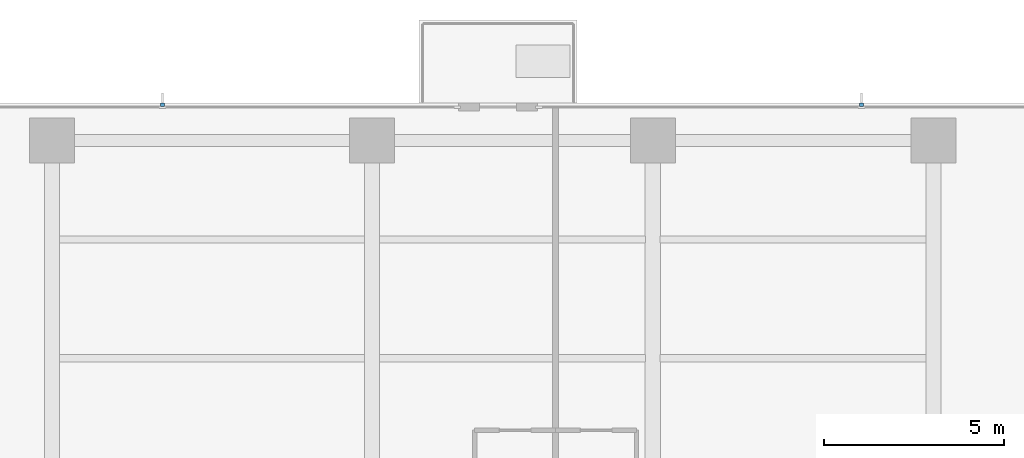
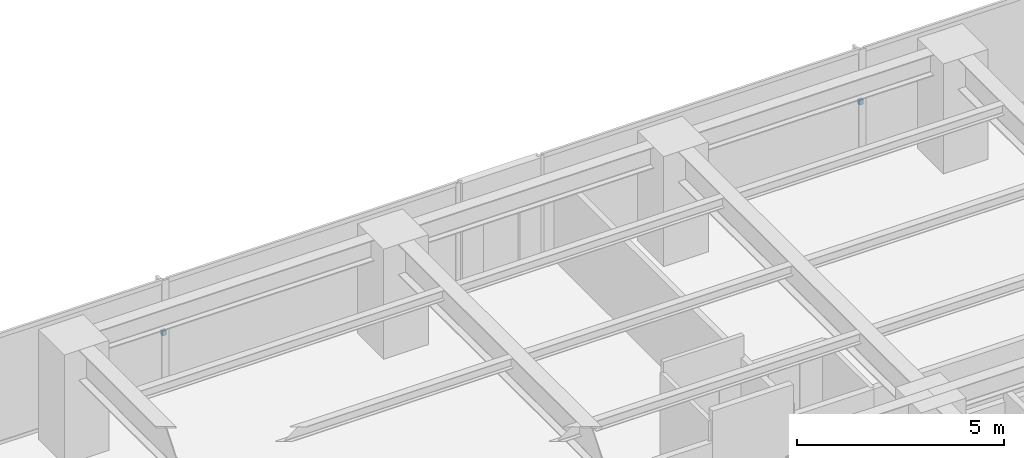
# One storey, part 14 of 16: 2 discrete accessories.
"""IFC4 building model written with IfcOpenShell, lengths in metres."""

from ifc_helpers import new_model, si_unit, direction, frame, origin, place, context, subcontext, project, spatial, polyline, outline, extrude, material, type_object, element, save


model = new_model("IFC4")

# Units and contexts
model_context = context("Model", 3, precision=1e-05, world=origin(), true_north=direction((0.0, 1.0)))
body_context = subcontext(model_context, "Body", "Model", "MODEL_VIEW")
ifc_project = project(units=[si_unit("LENGTHUNIT", "METRE"), si_unit("AREAUNIT", "SQUARE_METRE"), si_unit("VOLUMEUNIT", "CUBIC_METRE"), si_unit("PLANEANGLEUNIT", "RADIAN"), si_unit("MASSUNIT", "GRAM", prefix="KILO")], contexts=[model_context])

# Site, building, storey
site_placement = place(None, origin())
site = spatial("IfcSite", under=ifc_project, at=site_placement, CompositionType="ELEMENT")
building_placement = place(site_placement, origin())
building = spatial("IfcBuilding", under=site, at=building_placement, Name="Qalmaran Belvedere Hotel", CompositionType="ELEMENT")
storey_placement = place(building_placement, frame((0.0, 0.0, 123.199951171875)))
storey = spatial("IfcBuildingStorey", under=building, at=storey_placement, Name="L31", CompositionType="ELEMENT", Elevation=123.199951171875)

# Discrete accessories
ifc_material = material(Name="Stainless Steel 1.4401", Category="steel")
discrete_accessory_type = type_object("IfcDiscreteAccessoryType", Name="BRK-FIN-SS316", PredefinedType="BRACKET", material=ifc_material)
discrete_accessory_1_placement = place(storey_placement, frame((0.0, 0.0, 1.570068359375)))
element("IfcDiscreteAccessory", 1, at=discrete_accessory_1_placement, inside=storey, type_object=discrete_accessory_type, Name="L31 Fin Bracket 1", PredefinedType="BRACKET", context=body_context, shape_type="SweptSolid", body=[
    extrude(outline(polyline([(23.429931640625, 46.39501953125), (23.429931640625, 46.489990234375), (23.320068359375, 46.489990234375), (23.320068359375, 46.39501953125), (23.429931640625, 46.39501953125)])), origin(), (0.0, 0.0, 1.0), 0.139892578125),
])
discrete_accessory_2_placement = place(storey_placement, frame((0.0, 0.0, 1.570068359375)))
element("IfcDiscreteAccessory", 2, at=discrete_accessory_2_placement, inside=storey, type_object=discrete_accessory_type, Name="L31 Fin Bracket 1", PredefinedType="BRACKET", context=body_context, shape_type="SweptSolid", body=[
    extrude(outline(polyline([(42.85498046875, 46.39501953125), (42.85498046875, 46.489990234375), (42.7451171875, 46.489990234375), (42.7451171875, 46.39501953125), (42.85498046875, 46.39501953125)])), origin(), (0.0, 0.0, 1.0), 0.139892578125),
])

save(model, "model.ifc")
